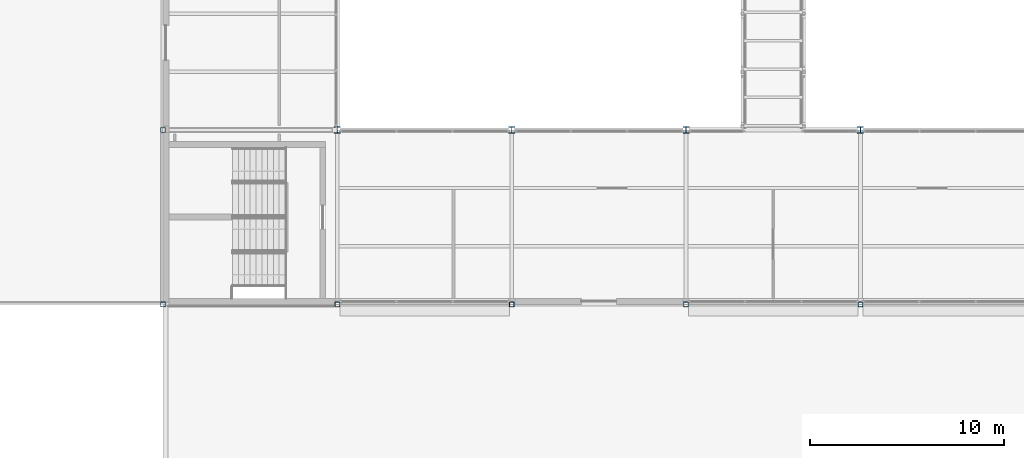
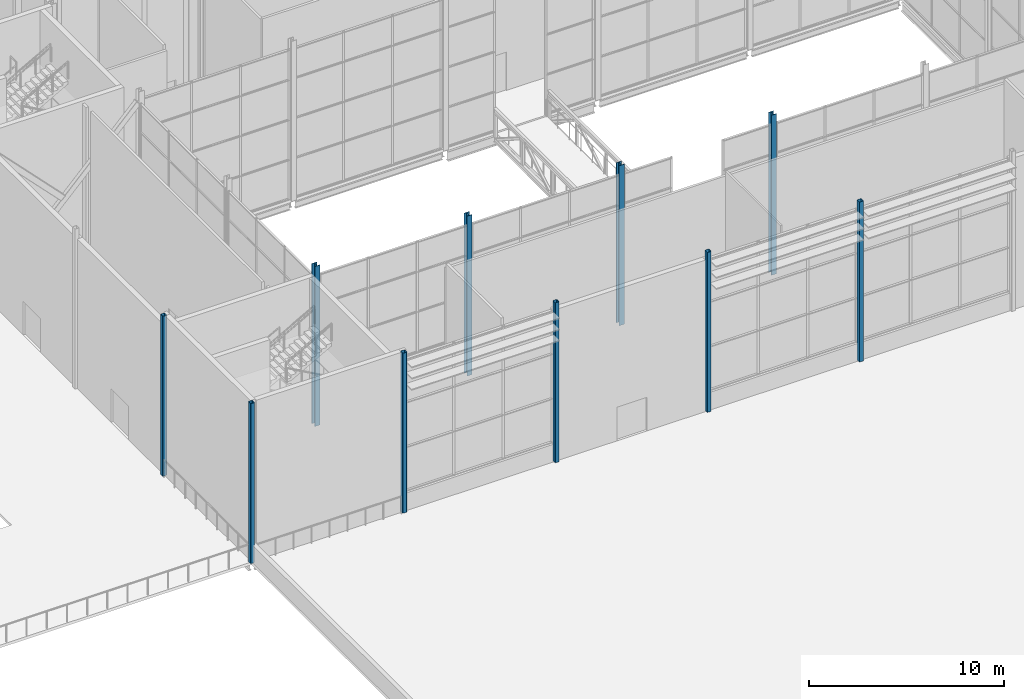
# One storey, part 1 of 111: 10 columns.
"""IFC4 building model written with IfcOpenShell, lengths in metres."""

from ifc_helpers import new_model, si_unit, direction, frame, origin, origin_2d, place, context, subcontext, project, spatial, hollow_rectangle, i_section, extrude, material, material_profile, profile_set, type_object, element, save


model = new_model("IFC4")

# Units and contexts
model_context = context("Model", 3, precision=1e-05, world=origin(), true_north=direction((0.0, 1.0)))
body_context = subcontext(model_context, "Body", "Model", "MODEL_VIEW")
ifc_project = project(units=[si_unit("LENGTHUNIT", "METRE"), si_unit("AREAUNIT", "SQUARE_METRE"), si_unit("VOLUMEUNIT", "CUBIC_METRE"), si_unit("PLANEANGLEUNIT", "RADIAN"), si_unit("MASSUNIT", "GRAM", prefix="KILO")], contexts=[model_context])

# Site, building, storey
site_placement = place(None, origin())
site = spatial("IfcSite", under=ifc_project, at=site_placement, CompositionType="ELEMENT")
building_placement = place(site_placement, origin())
building = spatial("IfcBuilding", under=site, at=building_placement, Name="Shorebreak Coast Museum", CompositionType="ELEMENT")
storey_placement = place(building_placement, frame((0.0, 0.0, 16.0)))
storey = spatial("IfcBuildingStorey", under=building, at=storey_placement, Name="L03", CompositionType="ELEMENT", Elevation=16.0)

# Columns
ifc_material_1 = material(Name="Steel Grade C450L0", Category="steel")
ifc_material_profile_1 = material_profile(ifc_material_1, hollow_rectangle(XDim=0.25, YDim=0.25, WallThickness=0.012451171875, InnerFilletRadius=0.018798828125, OuterFilletRadius=0.03125, at=origin_2d()), Name="250x250x12.5 SHS")
ifc_profile_set_1 = profile_set([ifc_material_profile_1], Name="Steel Grade C450L0")
column_type_1 = type_object("IfcColumnType", Name="Column 250x250x12.5 SHS", PredefinedType="COLUMN", material=ifc_profile_set_1)
for number, where, z_axis, x_axis, name in (
    (1, (54.0, 54.0, 0.0), (0.0, 0.0, 1.0), (1.0, 0.0, 0.0), "Column L03 7G"),
    (2, (63.0, 54.0, 0.0), (0.0, 0.0, 1.0), (1.0, 0.0, 0.0), "Column L03 8G"),
    (3, (72.0, 54.0, 0.0), (0.0, 0.0, 1.0), (1.0, 0.0, 0.0), "Column L03 9G"),
    (4, (81.0, 54.0, 0.0), (0.0, 0.0, 1.0), (1.0, 0.0, 0.0), "Column L03 10G"),
    (5, (90.0, 54.0, 0.0), (0.0, 0.0, 1.0), (1.0, 0.0, 0.0), "Column L03 11G"),
    (6, (54.0, 63.0, 0.0), (0.0, 0.0, 1.0), (1.0, 0.0, 0.0), "Column L03 7H"),
):
    element("IfcColumn", number, at=place(storey_placement, frame(where, z_axis=z_axis, x_axis=x_axis)), inside=storey, type_object=column_type_1, Name=name, PredefinedType="COLUMN", context=body_context, shape_type="SweptSolid", body=[
        extrude(hollow_rectangle(XDim=0.25, YDim=0.25, WallThickness=0.012451171875, InnerFilletRadius=0.018798828125, OuterFilletRadius=0.03125, at=origin_2d()), origin(), (0.0, 0.0, 1.0), 10.0),
    ])
ifc_material_2 = material(Name="Steel Grade 300", Category="steel")
ifc_material_profile_2 = material_profile(ifc_material_2, i_section(OverallWidth=0.30908203125, OverallDepth=0.320556640625, WebThickness=0.013916015625, FlangeThickness=0.021728515625, FilletRadius=0.0166015625, at=origin_2d()), Name="310UC137")
ifc_profile_set_2 = profile_set([ifc_material_profile_2], Name="Steel Grade 300")
column_type_2 = type_object("IfcColumnType", Name="Column 310UC137", PredefinedType="COLUMN", material=ifc_profile_set_2)
for number, where, z_axis, x_axis, name in (
    (7, (63.0, 63.0, 0.0), (0.0, 0.0, 1.0), (1.0, 0.0, 0.0), "Column L03 8H"),
    (8, (72.0, 63.0, 0.0), (0.0, 0.0, 1.0), (1.0, 0.0, 0.0), "Column L03 9H"),
    (9, (81.0, 63.0, 0.0), (0.0, 0.0, 1.0), (1.0, 0.0, 0.0), "Column L03 10H"),
    (10, (90.0, 63.0, 0.0), (0.0, 0.0, 1.0), (1.0, 0.0, 0.0), "Column L03 11H"),
):
    element("IfcColumn", number, at=place(storey_placement, frame(where, z_axis=z_axis, x_axis=x_axis)), inside=storey, type_object=column_type_2, Name=name, PredefinedType="COLUMN", context=body_context, shape_type="SweptSolid", body=[
        extrude(i_section(OverallWidth=0.30908203125, OverallDepth=0.320556640625, WebThickness=0.013916015625, FlangeThickness=0.021728515625, FilletRadius=0.0166015625, at=origin_2d()), origin(), (0.0, 0.0, 1.0), 10.0),
    ])

save(model, "model.ifc")
